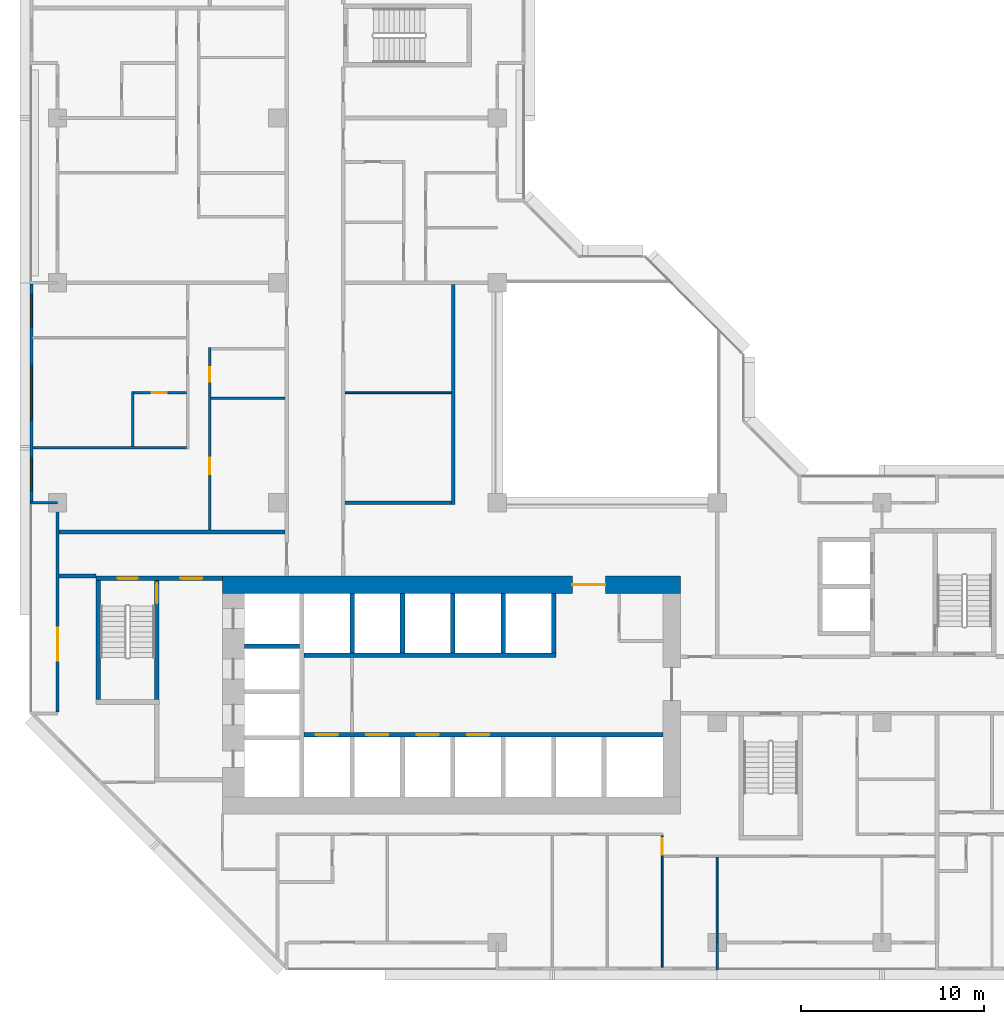
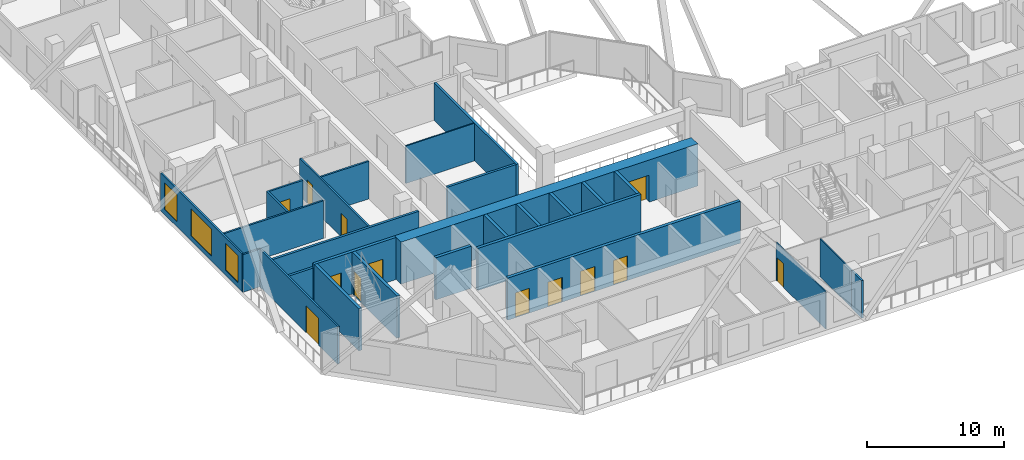
# One storey, part 5 of 15: 28 walls, 13 doors, 3 windows, 16 openings.
"""IFC4 building model written with IfcOpenShell, lengths in metres."""

import ifcopenshell
import ifcopenshell.guid

model = None  # the IFC model being written
_history = None  # IfcOwnerHistory: only IFC2X3 demands one
_inside = {}  # id of a spatial element -> (the spatial element, [elements in it])
_under = {}  # id of a project, library or spatial element -> (it, [spatial elements below it])
_declared = {}  # id of a project -> (the project, [libraries it declares])
_typed = {}  # id of a type object -> (the type object, [elements of that type])
_made_of = {}  # id of a material, layer set ... -> (it, [elements and type objects made of it])


def new_model(schema):
    """Start an empty IFC model of exactly this schema.

    Asked for "IFC4X3", IfcOpenShell would pick the latest addendum, in which some entities
    have other attributes; the version numbers below select the first issue.
    IFC2X3 requires an IfcOwnerHistory on every rooted entity: one is made here for all.
    """
    global model, _history
    if schema == "IFC4X3":
        model = ifcopenshell.file(schema_version=(4, 3, 0, 0))
    else:
        model = ifcopenshell.file(schema=schema)
    _inside.clear()
    _under.clear()
    _declared.clear()
    _typed.clear()
    _made_of.clear()
    _history = None
    if model.schema == "IFC2X3":
        org = make("IfcOrganization", Name="unknown")
        user = make(
            "IfcPersonAndOrganization",
            ThePerson=make("IfcPerson", FamilyName="unknown"),
            TheOrganization=org,
        )
        app = make(
            "IfcApplication",
            ApplicationDeveloper=org,
            Version="unknown",
            ApplicationFullName="unknown",
            ApplicationIdentifier="unknown",
        )
        _history = make(
            "IfcOwnerHistory",
            OwningUser=user,
            OwningApplication=app,
            ChangeAction="ADDED",
            CreationDate=0,
        )
    return model


def make(cls, **values):
    """One entity of the class cls with the attributes given. An attribute that is None is left unset."""
    return model.create_entity(
        cls, **{name: value for name, value in values.items() if value is not None}
    )


def rooted(cls, **values):
    """An entity with a GlobalId (a new one), such as an element, a storey or a relation."""
    return make(cls, GlobalId=ifcopenshell.guid.new(), OwnerHistory=_history, **values)


def si_unit(unit_type, name, prefix=None):
    """IfcSIUnit, for example si_unit("LENGTHUNIT", "METRE", prefix="MILLI")."""
    return make("IfcSIUnit", UnitType=unit_type, Prefix=prefix, Name=name)


def assignment(units):
    """IfcUnitAssignment: the units of a project."""
    return None if units is None else make("IfcUnitAssignment", Units=units)


def point(xyz):
    """IfcCartesianPoint."""
    return None if xyz is None else make("IfcCartesianPoint", Coordinates=xyz)


def direction(xyz):
    """IfcDirection."""
    return None if xyz is None else make("IfcDirection", DirectionRatios=xyz)


def frame(location, z_axis=None, x_axis=None):
    """IfcAxis2Placement3D, a coordinate frame: its origin and axes. An axis left out is left unset."""
    return make(
        "IfcAxis2Placement3D",
        Location=point(location),
        Axis=direction(z_axis),
        RefDirection=direction(x_axis),
    )


def frame_2d(location, x_axis=None):
    """IfcAxis2Placement2D, a coordinate frame in the plane: its origin and x axis."""
    return make(
        "IfcAxis2Placement2D", Location=point(location), RefDirection=direction(x_axis)
    )


def origin():
    """The frame at (0, 0, 0) with its axes left unset."""
    return frame((0.0, 0.0, 0.0))


def place(relative_to, where):
    """IfcLocalPlacement: puts the frame where relative to a parent placement (None: the world)."""
    return make(
        "IfcLocalPlacement", PlacementRelTo=relative_to, RelativePlacement=where
    )


def context(
    kind, dimensions, precision=None, world=None, true_north=None, identifier=None
):
    """IfcGeometricRepresentationContext, for example the 3D "Model" context."""
    return make(
        "IfcGeometricRepresentationContext",
        ContextIdentifier=identifier,
        ContextType=kind,
        CoordinateSpaceDimension=dimensions,
        Precision=precision,
        WorldCoordinateSystem=world,
        TrueNorth=true_north,
    )


def subcontext(parent, identifier, kind, view, scale=None):
    """IfcGeometricRepresentationSubContext, for example "Body" below "Model"."""
    return make(
        "IfcGeometricRepresentationSubContext",
        ContextIdentifier=identifier,
        ContextType=kind,
        ParentContext=parent,
        TargetScale=scale,
        TargetView=view,
    )


def project(units=None, contexts=None):
    """IfcProject with its units and contexts."""
    return rooted(
        "IfcProject",
        Name="project",
        RepresentationContexts=contexts,
        UnitsInContext=assignment(units),
    )


def spatial(cls, under=None, at=None, **own):
    """A site, building, storey or space (cls), placed at a placement, below another one or the project."""
    s = rooted(cls, ObjectPlacement=at, **own)
    if under is not None:
        _under.setdefault(under.id(), (under, []))[1].append(s)
    return s


def profile(cls, at=None, kind="AREA", **sizes):
    """A parametric profile (cls). Its sizes go by their IFC names, for example OverallWidth=200.0."""
    return make(cls, ProfileType=kind, Position=at, **sizes)


def rectangle(**sizes):
    """IfcRectangleProfileDef."""
    return profile("IfcRectangleProfileDef", **sizes)


def extrude(swept, where, along, depth):
    """IfcExtrudedAreaSolid: the profile swept, set in the frame where, extruded along a direction by depth."""
    return make(
        "IfcExtrudedAreaSolid",
        SweptArea=swept,
        Position=where,
        ExtrudedDirection=direction(along),
        Depth=depth,
    )


def shape(context_of_items, identifier, shape_type, items):
    """IfcShapeRepresentation: the items that make up one representation, for example the "Body"."""
    return make(
        "IfcShapeRepresentation",
        ContextOfItems=context_of_items,
        RepresentationIdentifier=identifier,
        RepresentationType=shape_type,
        Items=items,
    )


def material(Name=None, Category=None):
    """IfcMaterial."""
    return make("IfcMaterial", Name=Name, Category=Category)


def layer(
    of_material, thickness, ventilated=None, Name=None, Category=None, Priority=None
):
    """IfcMaterialLayer: one layer of a wall or slab, of a material (None: an air gap)."""
    return make(
        "IfcMaterialLayer",
        Material=of_material,
        LayerThickness=thickness,
        IsVentilated=ventilated,
        Name=Name,
        Category=Category,
        Priority=Priority,
    )


def layer_set(layers, Name=None):
    """IfcMaterialLayerSet."""
    return make("IfcMaterialLayerSet", MaterialLayers=layers, LayerSetName=Name)


def made_of(thing, what):
    """Note that an element or type object is made of a material, layer set ...; save() writes the relation."""
    if what is not None:
        _made_of.setdefault(what.id(), (what, []))[1].append(thing)
    return thing


def type_object(cls, material=None, **own):
    """A type object (cls), such as IfcWallType, which elements share."""
    return made_of(rooted(cls, **own), material)


def element(
    cls,
    number,
    at=None,
    inside=None,
    cuts=None,
    type_object=None,
    material=None,
    context=None,
    identifier="Body",
    shape_type=None,
    held_by="IfcProductDefinitionShape",
    body=None,
    shapes=None,
    **own,
):
    """One element of the class cls, such as IfcWall. Its Tag is "e" and its number.

    at: its placement. inside: the storey or other place that contains it. cuts: it is an
    opening in that element (IfcRelVoidsElement). A single representation is given by context,
    identifier, shape_type and body (its items); several are given by shapes. held_by: the class
    of the entity that holds the representations. save() writes the other relations.
    """
    e = rooted(cls, Tag="e%d" % number, ObjectPlacement=at, **own)
    if body is not None:
        shapes = [shape(context, identifier, shape_type, body)]
    if shapes is not None:
        e.Representation = make(held_by, Representations=shapes)
    if inside is not None:
        _inside.setdefault(inside.id(), (inside, []))[1].append(e)
    if cuts is not None:
        rooted(
            "IfcRelVoidsElement", RelatingBuildingElement=cuts, RelatedOpeningElement=e
        )
    if type_object is not None:
        _typed.setdefault(type_object.id(), (type_object, []))[1].append(e)
    return made_of(e, material)


def fill(opening, filler):
    """IfcRelFillsElement: the door or window that sits in an opening."""
    return rooted(
        "IfcRelFillsElement",
        RelatingOpeningElement=opening,
        RelatedBuildingElement=filler,
    )


def aggregate(whole, parts):
    """IfcRelAggregates: a whole, such as a stair, and the parts it consists of."""
    return rooted("IfcRelAggregates", RelatingObject=whole, RelatedObjects=parts)


def save(model, path):
    """Write the relations noted so far, then the file.

    IfcRelAggregates (storeys below a building ...), IfcRelContainedInSpatialStructure (elements
    in a storey), IfcRelDefinesByType, IfcRelAssociatesMaterial and IfcRelDeclares: one each for
    every whole, place, type object, material and project.
    """
    for whole, parts in _under.values():
        aggregate(whole, parts)
    for where, things in _inside.values():
        rooted(
            "IfcRelContainedInSpatialStructure",
            RelatedElements=things,
            RelatingStructure=where,
        )
    for kind, things in _typed.values():
        rooted("IfcRelDefinesByType", RelatedObjects=things, RelatingType=kind)
    for what, things in _made_of.values():
        rooted("IfcRelAssociatesMaterial", RelatedObjects=things, RelatingMaterial=what)
    for by, libraries in _declared.values():
        rooted("IfcRelDeclares", RelatingContext=by, RelatedDefinitions=libraries)
    model.write(path)


model = new_model("IFC4")

# Units and contexts
model_context = context("Model", 3, precision=1e-05, world=origin(), true_north=direction((0.0, 1.0)))
body_context = subcontext(model_context, "Body", "Model", "MODEL_VIEW")
ifc_project = project(units=[si_unit("LENGTHUNIT", "METRE"), si_unit("AREAUNIT", "SQUARE_METRE"), si_unit("VOLUMEUNIT", "CUBIC_METRE"), si_unit("PLANEANGLEUNIT", "RADIAN"), si_unit("MASSUNIT", "GRAM", prefix="KILO")], contexts=[model_context])

# Site, building, storey
site_placement = place(None, origin())
site = spatial("IfcSite", under=ifc_project, at=site_placement, CompositionType="ELEMENT")
building_placement = place(site_placement, origin())
building = spatial("IfcBuilding", under=site, at=building_placement, Name="Chenar Terraces", CompositionType="ELEMENT")
storey_placement = place(building_placement, frame((0.0, 0.0, 129.39990234375)))
storey = spatial("IfcBuildingStorey", under=building, at=storey_placement, Name="L30", CompositionType="ELEMENT", Elevation=129.39990234375)

# Wall, openings, doors
ifc_material_1 = material(Name="Concrete C70/85", Category="concrete")
ifc_layer_1 = layer(ifc_material_1, 0.25)
ifc_layer_set_1 = layer_set([ifc_layer_1], Name="Concrete C70/85")
wall_type_1 = type_object("IfcWallType", Name="Core wall 250 Concrete C70/85", PredefinedType="SHEAR", material=ifc_layer_set_1)
wall_1_placement = place(storey_placement, frame((13.449951171875, 11.324951171875, 0.0), z_axis=(0.0, 0.0, 1.0), x_axis=(1.0, 0.0, 0.0)))
wall_1 = element("IfcWall", 1, at=wall_1_placement, inside=storey, type_object=wall_type_1, Name="Core wall SF L30", PredefinedType="SHEAR", context=body_context, shape_type="SweptSolid", body=[
    extrude(rectangle(XDim=19.60009765625, YDim=0.25, at=frame_2d((9.800048828125, 0.0))), origin(), (0.0, 0.0, 1.0), 3.75),
])
opening_1_placement = place(wall_1_placement, frame((0.64990234375, 0.0, 0.0)))
opening_1 = element("IfcOpeningElement", 2, at=opening_1_placement, cuts=wall_1, Name="Opening DL30-LD1", PredefinedType="OPENING", context=body_context, shape_type="SweptSolid", body=[
    extrude(rectangle(XDim=1.199951171875, YDim=2.199951171875, at=frame_2d((0.60009765625, 1.10009765625))), frame((0.0, 0.135009765625, 0.0), z_axis=(0.0, -1.0, 0.0), x_axis=(1.0, 0.0, 0.0)), (0.0, 0.0, 1.0), 0.27001953125),
])
opening_2_placement = place(wall_1_placement, frame((3.39990234375, 0.0, 0.0)))
opening_2 = element("IfcOpeningElement", 3, at=opening_2_placement, cuts=wall_1, Name="Opening DL30-LD2", PredefinedType="OPENING", context=body_context, shape_type="SweptSolid", body=[
    extrude(rectangle(XDim=1.199951171875, YDim=2.199951171875, at=frame_2d((0.60009765625, 1.10009765625))), frame((0.0, 0.135009765625, 0.0), z_axis=(0.0, -1.0, 0.0), x_axis=(1.0, 0.0, 0.0)), (0.0, 0.0, 1.0), 0.27001953125),
])
opening_3_placement = place(wall_1_placement, frame((6.14990234375, 0.0, 0.0)))
opening_3 = element("IfcOpeningElement", 4, at=opening_3_placement, cuts=wall_1, Name="Opening DL30-LD3", PredefinedType="OPENING", context=body_context, shape_type="SweptSolid", body=[
    extrude(rectangle(XDim=1.199951171875, YDim=2.199951171875, at=frame_2d((0.60009765625, 1.10009765625))), frame((0.0, 0.135009765625, 0.0), z_axis=(0.0, -1.0, 0.0), x_axis=(1.0, 0.0, 0.0)), (0.0, 0.0, 1.0), 0.27001953125),
])
opening_4_placement = place(wall_1_placement, frame((8.89990234375, 0.0, 0.0)))
opening_4 = element("IfcOpeningElement", 5, at=opening_4_placement, cuts=wall_1, Name="Opening DL30-LD4", PredefinedType="OPENING", context=body_context, shape_type="SweptSolid", body=[
    extrude(rectangle(XDim=1.199951171875, YDim=2.199951171875, at=frame_2d((0.60009765625, 1.10009765625))), frame((0.0, 0.135009765625, 0.0), z_axis=(0.0, -1.0, 0.0), x_axis=(1.0, 0.0, 0.0)), (0.0, 0.0, 1.0), 0.27001953125),
])
ifc_material_2 = material(Name="Stainless steel", Category="steel")
door_type_1 = type_object("IfcDoorType", Name="Lift landing door 1200 x 2200 sliding", OperationType="DOUBLE_DOOR_SLIDING", PredefinedType="DOOR", material=ifc_material_2)
door_1_placement = place(opening_1_placement, origin())
door_1 = element("IfcDoor", 6, at=door_1_placement, inside=storey, type_object=door_type_1, Name="Landing door L1", OperationType="DOUBLE_DOOR_SLIDING", OverallHeight=2.199951171875, OverallWidth=1.199951171875, PredefinedType="DOOR", context=body_context, shape_type="SweptSolid", body=[
    extrude(rectangle(XDim=1.199951171875, YDim=2.199951171875, at=frame_2d((0.60009765625, 1.10009765625))), frame((0.0, 0.02490234375, 0.0), z_axis=(0.0, -1.0, 0.0), x_axis=(1.0, 0.0, 0.0)), (0.0, 0.0, 1.0), 0.050048828125),
])
fill(opening_1, door_1)
door_2_placement = place(opening_2_placement, origin())
door_2 = element("IfcDoor", 7, at=door_2_placement, inside=storey, type_object=door_type_1, Name="Landing door L2", OperationType="DOUBLE_DOOR_SLIDING", OverallHeight=2.199951171875, OverallWidth=1.199951171875, PredefinedType="DOOR", context=body_context, shape_type="SweptSolid", body=[
    extrude(rectangle(XDim=1.199951171875, YDim=2.199951171875, at=frame_2d((0.60009765625, 1.10009765625))), frame((0.0, 0.02490234375, 0.0), z_axis=(0.0, -1.0, 0.0), x_axis=(1.0, 0.0, 0.0)), (0.0, 0.0, 1.0), 0.050048828125),
])
fill(opening_2, door_2)
door_3_placement = place(opening_3_placement, origin())
door_3 = element("IfcDoor", 8, at=door_3_placement, inside=storey, type_object=door_type_1, Name="Landing door L3", OperationType="DOUBLE_DOOR_SLIDING", OverallHeight=2.199951171875, OverallWidth=1.199951171875, PredefinedType="DOOR", context=body_context, shape_type="SweptSolid", body=[
    extrude(rectangle(XDim=1.199951171875, YDim=2.199951171875, at=frame_2d((0.60009765625, 1.10009765625))), frame((0.0, 0.02490234375, 0.0), z_axis=(0.0, -1.0, 0.0), x_axis=(1.0, 0.0, 0.0)), (0.0, 0.0, 1.0), 0.050048828125),
])
fill(opening_3, door_3)
door_4_placement = place(opening_4_placement, origin())
door_4 = element("IfcDoor", 9, at=door_4_placement, inside=storey, type_object=door_type_1, Name="Landing door L4", OperationType="DOUBLE_DOOR_SLIDING", OverallHeight=2.199951171875, OverallWidth=1.199951171875, PredefinedType="DOOR", context=body_context, shape_type="SweptSolid", body=[
    extrude(rectangle(XDim=1.199951171875, YDim=2.199951171875, at=frame_2d((0.60009765625, 1.10009765625))), frame((0.0, 0.02490234375, 0.0), z_axis=(0.0, -1.0, 0.0), x_axis=(1.0, 0.0, 0.0)), (0.0, 0.0, 1.0), 0.050048828125),
])
fill(opening_4, door_4)

# Walls
wall_2_placement = place(storey_placement, frame((13.449951171875, 15.675048828125, 0.0), z_axis=(0.0, 0.0, 1.0), x_axis=(1.0, 0.0, 0.0)))
element("IfcWall", 10, at=wall_2_placement, inside=storey, type_object=wall_type_1, Name="Core wall NF L30", PredefinedType="SHEAR", context=body_context, shape_type="SweptSolid", body=[
    extrude(rectangle(XDim=13.75, YDim=0.25, at=frame_2d((6.875, 0.0))), origin(), (0.0, 0.0, 1.0), 3.75),
])
wall_3_placement = place(storey_placement, frame((10.199951171875, 16.175048828125, 0.0), z_axis=(0.0, 0.0, 1.0), x_axis=(1.0, 0.0, 0.0)))
element("IfcWall", 11, at=wall_3_placement, inside=storey, type_object=wall_type_1, Name="Core wall HW2 L30", PredefinedType="SHEAR", context=body_context, shape_type="SweptSolid", body=[
    extrude(rectangle(XDim=3.0, YDim=0.25, at=frame_2d((1.5, 0.0))), origin(), (0.0, 0.0, 1.0), 3.75),
])
for number, where, z_axis, x_axis, name in (
    (12, (16.074951171875, 15.800048828125, 0.0), (0.0, 0.0, 1.0), (0.0, 1.0, 0.0), "Core wall NS0 L30"),
    (13, (18.824951171875, 15.800048828125, 0.0), (0.0, 0.0, 1.0), (0.0, 1.0, 0.0), "Core wall NS1 L30"),
    (14, (21.574951171875, 15.800048828125, 0.0), (0.0, 0.0, 1.0), (0.0, 1.0, 0.0), "Core wall NS2 L30"),
    (15, (24.324951171875, 15.800048828125, 0.0), (0.0, 0.0, 1.0), (0.0, 1.0, 0.0), "Core wall NS3 L30"),
    (16, (27.074951171875, 15.800048828125, 0.0), (0.0, 0.0, 1.0), (0.0, 1.0, 0.0), "Core wall NE L30"),
):
    element("IfcWall", number, at=place(storey_placement, frame(where, z_axis=z_axis, x_axis=x_axis)), inside=storey, type_object=wall_type_1, Name=name, PredefinedType="SHEAR", context=body_context, shape_type="SweptSolid", body=[
        extrude(rectangle(XDim=3.25, YDim=0.25, at=frame_2d((1.625, 0.0))), origin(), (0.0, 0.0, 1.0), 3.75),
    ])

# Wall, openings, doors
wall_4_placement = place(storey_placement, frame((2.10009765625, 19.875, 0.0), z_axis=(0.0, 0.0, 1.0), x_axis=(1.0, 0.0, 0.0)))
wall_4 = element("IfcWall", 17, at=wall_4_placement, inside=storey, type_object=wall_type_1, Name="Core wall A_N L30", PredefinedType="SHEAR", context=body_context, shape_type="SweptSolid", body=[
    extrude(rectangle(XDim=6.89990234375, YDim=0.25, at=frame_2d((3.449951171875, 0.0))), origin(), (0.0, 0.0, 1.0), 3.75),
])
opening_5_placement = place(wall_4_placement, frame((1.175048828125, 0.0, 0.0)))
opening_5 = element("IfcOpeningElement", 18, at=opening_5_placement, cuts=wall_4, Name="Opening DL30-C5", PredefinedType="OPENING", context=body_context, shape_type="SweptSolid", body=[
    extrude(rectangle(XDim=1.10009765625, YDim=2.199951171875, at=frame_2d((0.550048828125, 1.10009765625))), frame((0.0, 0.135009765625, 0.0), z_axis=(0.0, -1.0, 0.0), x_axis=(1.0, 0.0, 0.0)), (0.0, 0.0, 1.0), 0.27001953125),
])
opening_6_placement = place(wall_4_placement, frame((4.60009765625, 0.0, 0.0)))
opening_6 = element("IfcOpeningElement", 19, at=opening_6_placement, cuts=wall_4, Name="Opening DL30-C6", PredefinedType="OPENING", context=body_context, shape_type="SweptSolid", body=[
    extrude(rectangle(XDim=1.199951171875, YDim=2.199951171875, at=frame_2d((0.60009765625, 1.10009765625))), frame((0.0, 0.135009765625, 0.0), z_axis=(0.0, -1.0, 0.0), x_axis=(1.0, 0.0, 0.0)), (0.0, 0.0, 1.0), 0.27001953125),
])
ifc_material_3 = material(Name="Steel-framed fire-resisting door leaf", Category="steel")
door_type_2 = type_object("IfcDoorType", Name="Lobby fire door FD60 1200 x 2200", OperationType="SINGLE_SWING_LEFT", PredefinedType="DOOR", material=ifc_material_3)
door_5_placement = place(opening_6_placement, frame((1.199951171875, 0.0, 0.0), z_axis=(0.0, 0.0, 1.0), x_axis=(-1.0, 0.0, 0.0)))
door_5 = element("IfcDoor", 20, at=door_5_placement, inside=storey, type_object=door_type_2, Name="Core door DL30-C6", OperationType="SINGLE_SWING_LEFT", OverallHeight=2.199951171875, OverallWidth=1.199951171875, PredefinedType="DOOR", context=body_context, shape_type="SweptSolid", body=[
    extrude(rectangle(XDim=1.199951171875, YDim=2.199951171875, at=frame_2d((0.60009765625, 1.10009765625))), frame((0.0, 0.02490234375, 0.0), z_axis=(0.0, -1.0, 0.0), x_axis=(1.0, 0.0, 0.0)), (0.0, 0.0, 1.0), 0.050048828125),
])
fill(opening_6, door_5)
ifc_material_4 = material(Name="Steel-framed fire-resisting door leaf", Category="steel")
door_type_3 = type_object("IfcDoorType", Name="Stair fire door FD60 1100 x 2200", OperationType="SINGLE_SWING_LEFT", PredefinedType="DOOR", material=ifc_material_4)
door_6_placement = place(opening_5_placement, origin())
door_6 = element("IfcDoor", 21, at=door_6_placement, inside=storey, type_object=door_type_3, Name="Stair door DL30-C5", OperationType="SINGLE_SWING_LEFT", OverallHeight=2.199951171875, OverallWidth=1.10009765625, PredefinedType="DOOR", context=body_context, shape_type="SweptSolid", body=[
    extrude(rectangle(XDim=1.10009765625, YDim=2.199951171875, at=frame_2d((0.550048828125, 1.10009765625))), frame((0.0, 0.02490234375, 0.0), z_axis=(0.0, -1.0, 0.0), x_axis=(1.0, 0.0, 0.0)), (0.0, 0.0, 1.0), 0.050048828125),
])
fill(opening_5, door_6)

# Wall
wall_5_placement = place(storey_placement, frame((2.22509765625, 13.25, 0.0), z_axis=(0.0, 0.0, 1.0), x_axis=(0.0, 1.0, 0.0)))
element("IfcWall", 22, at=wall_5_placement, inside=storey, type_object=wall_type_1, Name="Core wall ST1_W L30", PredefinedType="SHEAR", context=body_context, shape_type="SweptSolid", body=[
    extrude(rectangle(XDim=6.5, YDim=0.25, at=frame_2d((3.25, 0.0))), origin(), (0.0, 0.0, 1.0), 3.75),
])

# Wall, opening, door
wall_6_placement = place(storey_placement, frame((5.425048828125, 13.25, 0.0), z_axis=(0.0, 0.0, 1.0), x_axis=(0.0, 1.0, 0.0)))
wall_6 = element("IfcWall", 23, at=wall_6_placement, inside=storey, type_object=wall_type_1, Name="Core wall ST1_E L30", PredefinedType="SHEAR", context=body_context, shape_type="SweptSolid", body=[
    extrude(rectangle(XDim=6.5, YDim=0.25, at=frame_2d((3.25, 0.0))), origin(), (0.0, 0.0, 1.0), 3.75),
])
opening_7_placement = place(wall_6_placement, frame((5.25, 0.0, 0.0)))
opening_7 = element("IfcOpeningElement", 24, at=opening_7_placement, cuts=wall_6, Name="Opening DL30-C3", PredefinedType="OPENING", context=body_context, shape_type="SweptSolid", body=[
    extrude(rectangle(XDim=1.10009765625, YDim=2.199951171875, at=frame_2d((0.550048828125, 1.10009765625))), frame((0.0, 0.135009765625, 0.0), z_axis=(0.0, -1.0, 0.0), x_axis=(1.0, 0.0, 0.0)), (0.0, 0.0, 1.0), 0.27001953125),
])
door_7_placement = place(opening_7_placement, origin())
door_7 = element("IfcDoor", 25, at=door_7_placement, inside=storey, type_object=door_type_3, Name="Stair door DL30-C3", OperationType="SINGLE_SWING_RIGHT", OverallHeight=2.199951171875, OverallWidth=1.10009765625, PredefinedType="DOOR", context=body_context, shape_type="SweptSolid", body=[
    extrude(rectangle(XDim=1.10009765625, YDim=2.199951171875, at=frame_2d((0.550048828125, 1.10009765625))), frame((0.0, 0.02490234375, 0.0), z_axis=(0.0, -1.0, 0.0), x_axis=(1.0, 0.0, 0.0)), (0.0, 0.0, 1.0), 0.050048828125),
])
fill(opening_7, door_7)

ifc_material_5 = material(Name="Concrete C70/85", Category="concrete")
ifc_layer_2 = layer(ifc_material_5, 0.949951171875)
ifc_layer_set_2 = layer_set([ifc_layer_2], Name="Concrete C70/85")
wall_type_2 = type_object("IfcWallType", Name="Core wall 950 Concrete C70/85", PredefinedType="SHEAR", material=ifc_layer_set_2)
wall_7_placement = place(storey_placement, frame((9.0, 19.52490234375, 0.0), z_axis=(0.0, 0.0, 1.0), x_axis=(1.0, 0.0, 0.0)))
wall_7 = element("IfcWall", 26, at=wall_7_placement, inside=storey, type_object=wall_type_2, Name="Core wall N L30", PredefinedType="SHEAR", context=body_context, shape_type="SweptSolid", body=[
    extrude(rectangle(XDim=25.0, YDim=0.949951171875, at=frame_2d((12.5, 0.0))), origin(), (0.0, 0.0, 1.0), 3.75),
])
opening_8_placement = place(wall_7_placement, frame((19.10009765625, 0.0, 0.0)))
opening_8 = element("IfcOpeningElement", 27, at=opening_8_placement, cuts=wall_7, Name="Opening DL30-C2", PredefinedType="OPENING", context=body_context, shape_type="SweptSolid", body=[
    extrude(rectangle(XDim=1.800048828125, YDim=2.39990234375, at=frame_2d((0.89990234375, 1.199951171875))), frame((0.0, 0.48486328125, 0.0), z_axis=(0.0, -1.0, 0.0), x_axis=(1.0, 0.0, 0.0)), (0.0, 0.0, 1.0), 0.969970703125),
])
ifc_material_6 = material(Name="Steel-framed fire-resisting door leaf", Category="steel")
door_type_4 = type_object("IfcDoorType", Name="Core entrance double fire door FD60 1800 x 2400", OperationType="DOUBLE_DOOR_SINGLE_SWING", PredefinedType="DOOR", material=ifc_material_6)
door_8_placement = place(opening_8_placement, frame((1.800048828125, 0.0, 0.0), z_axis=(0.0, 0.0, 1.0), x_axis=(-1.0, 0.0, 0.0)))
door_8 = element("IfcDoor", 28, at=door_8_placement, inside=storey, type_object=door_type_4, Name="Core door DL30-C2", OperationType="DOUBLE_DOOR_SINGLE_SWING", OverallHeight=2.39990234375, OverallWidth=1.800048828125, PredefinedType="DOOR", context=body_context, shape_type="SweptSolid", body=[
    extrude(rectangle(XDim=1.800048828125, YDim=2.39990234375, at=frame_2d((0.89990234375, 1.199951171875))), frame((0.0, 0.02490234375, 0.0), z_axis=(0.0, -1.0, 0.0), x_axis=(1.0, 0.0, 0.0)), (0.0, 0.0, 1.0), 0.050048828125),
])
fill(opening_8, door_8)

# Walls
ifc_material_7 = material(Name="Gypsum board on steel studs with fire boards", Category="steel")
ifc_layer_3 = layer(ifc_material_7, 0.199951171875)
ifc_layer_set_3 = layer_set([ifc_layer_3], Name="Gypsum board on steel studs with fire boards")
wall_type_3 = type_object("IfcWallType", Name="Corridor wall 200", PredefinedType="PARTITIONING", material=ifc_layer_set_3)
wall_8_placement = place(storey_placement, frame((0.073974609375, 20.0, 0.0), z_axis=(0.0, 0.0, 1.0), x_axis=(1.0, 0.0, 0.0)))
element("IfcWall", 29, at=wall_8_placement, inside=storey, type_object=wall_type_3, Name="Partition L30-006", PredefinedType="PARTITIONING", context=body_context, shape_type="SweptSolid", body=[
    extrude(rectangle(XDim=2.026123046875, YDim=0.199951171875, at=frame_2d((1.01318359375, 0.0))), origin(), (0.0, 0.0, 1.0), 3.35009765625),
])
wall_9_placement = place(storey_placement, frame((0.073974609375, 22.39990234375, 0.0), z_axis=(0.0, 0.0, 1.0), x_axis=(1.0, 0.0, 0.0)))
element("IfcWall", 30, at=wall_9_placement, inside=storey, type_object=wall_type_3, Name="Partition L30-007", PredefinedType="PARTITIONING", context=body_context, shape_type="SweptSolid", body=[
    extrude(rectangle(XDim=12.325927734375, YDim=0.199951171875, at=frame_2d((6.1630859375, 0.0))), origin(), (0.0, 0.0, 1.0), 3.35009765625),
])
wall_10_placement = place(storey_placement, frame((15.699951171875, 24.0, 0.0), z_axis=(0.0, 0.0, 1.0), x_axis=(1.0, 0.0, 0.0)))
element("IfcWall", 31, at=wall_10_placement, inside=storey, type_object=wall_type_3, Name="Partition L30-039", PredefinedType="PARTITIONING", context=body_context, shape_type="SweptSolid", body=[
    extrude(rectangle(XDim=5.800048828125, YDim=0.199951171875, at=frame_2d((2.89990234375, 0.0))), origin(), (0.0, 0.0, 1.0), 3.35009765625),
])
wall_11_placement = place(storey_placement, frame((21.60009765625, 23.89990234375, 0.0), z_axis=(0.0, 0.0, 1.0), x_axis=(0.0, 1.0, 0.0)))
element("IfcWall", 32, at=wall_11_placement, inside=storey, type_object=wall_type_3, Name="Partition L30-057", PredefinedType="PARTITIONING", context=body_context, shape_type="SweptSolid", body=[
    extrude(rectangle(XDim=12.0, YDim=0.199951171875, at=frame_2d((6.0, 0.0))), origin(), (0.0, 0.0, 1.0), 3.35009765625),
])

# Wall, openings, windows
ifc_material_8 = material(Name="Aluminium framed glazing", Category="aluminium")
ifc_layer_4 = layer(ifc_material_8, 0.14990234375)
ifc_layer_set_4 = layer_set([ifc_layer_4], Name="Aluminium framed glazing")
wall_type_4 = type_object("IfcWallType", Name="Glazed flush facade wall 150", PredefinedType="SOLIDWALL", material=ifc_layer_set_4)
wall_12_placement = place(storey_placement, frame((-1.425048828125, 35.925048828125, 0.0), z_axis=(0.0, 0.0, 1.0), x_axis=(0.0, -1.0, 0.0)))
wall_12 = element("IfcWall", 33, at=wall_12_placement, inside=storey, type_object=wall_type_4, Name="Glazed flush facade wall", PredefinedType="SOLIDWALL", context=body_context, shape_type="SweptSolid", body=[
    extrude(rectangle(XDim=11.85009765625, YDim=0.14990234375, at=frame_2d((5.925048828125, 0.0))), origin(), (0.0, 0.0, 1.0), 3.35009765625),
])
opening_9_placement = place(wall_12_placement, frame((0.5625, 0.0, 0.449951171875)))
opening_9 = element("IfcOpeningElement", 34, at=opening_9_placement, cuts=wall_12, Name="Opening W180x240", PredefinedType="OPENING", context=body_context, shape_type="SweptSolid", body=[
    extrude(rectangle(XDim=1.800048828125, YDim=2.39990234375, at=frame_2d((0.89990234375, 1.199951171875))), frame((0.0, 0.0849609375, 0.0), z_axis=(0.0, -1.0, 0.0), x_axis=(1.0, 0.0, 0.0)), (0.0, 0.0, 1.0), 0.169921875),
])
opening_10_placement = place(wall_12_placement, frame((4.425048828125, 0.0, 0.449951171875)))
opening_10 = element("IfcOpeningElement", 35, at=opening_10_placement, cuts=wall_12, Name="Opening W300x240", PredefinedType="OPENING", context=body_context, shape_type="SweptSolid", body=[
    extrude(rectangle(XDim=3.0, YDim=2.39990234375, at=frame_2d((1.5, 1.199951171875))), frame((0.0, 0.0849609375, 0.0), z_axis=(0.0, -1.0, 0.0), x_axis=(1.0, 0.0, 0.0)), (0.0, 0.0, 1.0), 0.169921875),
])
opening_11_placement = place(wall_12_placement, frame((9.487548828125, 0.0, 0.449951171875)))
opening_11 = element("IfcOpeningElement", 36, at=opening_11_placement, cuts=wall_12, Name="Opening W180x240", PredefinedType="OPENING", context=body_context, shape_type="SweptSolid", body=[
    extrude(rectangle(XDim=1.800048828125, YDim=2.39990234375, at=frame_2d((0.89990234375, 1.199951171875))), frame((0.0, 0.0849609375, 0.0), z_axis=(0.0, -1.0, 0.0), x_axis=(1.0, 0.0, 0.0)), (0.0, 0.0, 1.0), 0.169921875),
])
ifc_material_9 = material(Name="Low emissivity double glazing, aluminium frame", Category="aluminium")
window_type_1 = type_object("IfcWindowType", Name="Fixed light 1800 x 2400", PartitioningType="SINGLE_PANEL", PredefinedType="WINDOW", material=ifc_material_9)
window_1_placement = place(opening_9_placement, origin())
window_1 = element("IfcWindow", 37, at=window_1_placement, inside=storey, type_object=window_type_1, Name="Window", OverallHeight=2.39990234375, OverallWidth=1.800048828125, PartitioningType="SINGLE_PANEL", PredefinedType="WINDOW", context=body_context, shape_type="SweptSolid", body=[
    extrude(rectangle(XDim=1.800048828125, YDim=2.39990234375, at=frame_2d((0.89990234375, 1.199951171875))), frame((0.0, 0.030029296875, 0.0), z_axis=(0.0, -1.0, 0.0), x_axis=(1.0, 0.0, 0.0)), (0.0, 0.0, 1.0), 0.06005859375),
])
fill(opening_9, window_1)
window_2_placement = place(opening_11_placement, origin())
window_2 = element("IfcWindow", 38, at=window_2_placement, inside=storey, type_object=window_type_1, Name="Window", OverallHeight=2.39990234375, OverallWidth=1.800048828125, PartitioningType="SINGLE_PANEL", PredefinedType="WINDOW", context=body_context, shape_type="SweptSolid", body=[
    extrude(rectangle(XDim=1.800048828125, YDim=2.39990234375, at=frame_2d((0.89990234375, 1.199951171875))), frame((0.0, 0.030029296875, 0.0), z_axis=(0.0, -1.0, 0.0), x_axis=(1.0, 0.0, 0.0)), (0.0, 0.0, 1.0), 0.06005859375),
])
fill(opening_11, window_2)
ifc_material_10 = material(Name="Low emissivity double glazing, aluminium frame", Category="aluminium")
window_type_2 = type_object("IfcWindowType", Name="Fixed light 3000 x 2400", PartitioningType="SINGLE_PANEL", PredefinedType="WINDOW", material=ifc_material_10)
window_3_placement = place(opening_10_placement, origin())
window_3 = element("IfcWindow", 39, at=window_3_placement, inside=storey, type_object=window_type_2, Name="Window", OverallHeight=2.39990234375, OverallWidth=3.0, PartitioningType="SINGLE_PANEL", PredefinedType="WINDOW", context=body_context, shape_type="SweptSolid", body=[
    extrude(rectangle(XDim=3.0, YDim=2.39990234375, at=frame_2d((1.5, 1.199951171875))), frame((0.0, 0.030029296875, 0.0), z_axis=(0.0, -1.0, 0.0), x_axis=(1.0, 0.0, 0.0)), (0.0, 0.0, 1.0), 0.06005859375),
])
fill(opening_10, window_3)

# Wall, opening, door
ifc_material_11 = material(Name="Aluminium framed glazing", Category="aluminium")
ifc_layer_5 = layer(ifc_material_11, 0.14990234375)
ifc_layer_set_5 = layer_set([ifc_layer_5], Name="Aluminium framed glazing")
wall_type_5 = type_object("IfcWallType", Name="Glazed loggia back wall 150", PredefinedType="SOLIDWALL", material=ifc_layer_set_5)
wall_13_placement = place(storey_placement, frame((0.0, 23.925048828125, 0.0), z_axis=(0.0, 0.0, 1.0), x_axis=(0.0, -1.0, 0.0)))
wall_13 = element("IfcWall", 40, at=wall_13_placement, inside=storey, type_object=wall_type_5, Name="Glazed loggia back wall", PredefinedType="SOLIDWALL", context=body_context, shape_type="SweptSolid", body=[
    extrude(rectangle(XDim=11.35009765625, YDim=0.14990234375, at=frame_2d((5.675048828125, 0.0))), origin(), (0.0, 0.0, 1.0), 3.35009765625),
])
opening_12_placement = place(wall_13_placement, frame((6.737548828125, 0.0, 0.0)))
opening_12 = element("IfcOpeningElement", 41, at=opening_12_placement, cuts=wall_13, Name="Opening DL30-G4", PredefinedType="OPENING", context=body_context, shape_type="SweptSolid", body=[
    extrude(rectangle(XDim=1.800048828125, YDim=2.39990234375, at=frame_2d((0.89990234375, 1.199951171875))), frame((0.0, 0.0849609375, 0.0), z_axis=(0.0, -1.0, 0.0), x_axis=(1.0, 0.0, 0.0)), (0.0, 0.0, 1.0), 0.169921875),
])
ifc_material_12 = material(Name="Low emissivity double glazing, aluminium frame", Category="aluminium")
door_type_5 = type_object("IfcDoorType", Name="Loggia glazed double door 1800 x 2400", OperationType="DOUBLE_DOOR_SINGLE_SWING", PredefinedType="DOOR", material=ifc_material_12)
door_9_placement = place(opening_12_placement, frame((1.800048828125, 0.0, 0.0), z_axis=(0.0, 0.0, 1.0), x_axis=(-1.0, 0.0, 0.0)))
door_9 = element("IfcDoor", 42, at=door_9_placement, inside=storey, type_object=door_type_5, Name="Loggia glazed door", OperationType="DOUBLE_DOOR_SINGLE_SWING", OverallHeight=2.39990234375, OverallWidth=1.800048828125, PredefinedType="DOOR", context=body_context, shape_type="SweptSolid", body=[
    extrude(rectangle(XDim=1.800048828125, YDim=2.39990234375, at=frame_2d((0.89990234375, 1.199951171875))), frame((0.0, 0.02490234375, 0.0), z_axis=(0.0, -1.0, 0.0), x_axis=(1.0, 0.0, 0.0)), (0.0, 0.0, 1.0), 0.050048828125),
])
fill(opening_12, door_9)

# Wall
ifc_material_13 = material(Name="Gypsum board on steel studs", Category="steel")
ifc_layer_6 = layer(ifc_material_13, 0.10009765625)
ifc_layer_set_6 = layer_set([ifc_layer_6], Name="Gypsum board on steel studs")
wall_type_6 = type_object("IfcWallType", Name="Gypsum partition 100", PredefinedType="PARTITIONING", material=ifc_layer_set_6)
wall_14_placement = place(storey_placement, frame((15.699951171875, 30.0, 0.0), z_axis=(0.0, 0.0, 1.0), x_axis=(1.0, 0.0, 0.0)))
element("IfcWall", 43, at=wall_14_placement, inside=storey, type_object=wall_type_6, Name="Partition L30-040", PredefinedType="PARTITIONING", context=body_context, shape_type="SweptSolid", body=[
    extrude(rectangle(XDim=5.800048828125, YDim=0.10009765625, at=frame_2d((2.89990234375, 0.0))), origin(), (0.0, 0.0, 1.0), 3.35009765625),
])

# Wall, opening, door
wall_15_placement = place(storey_placement, frame((33.0, -1.35107421875, 0.0), z_axis=(0.0, 0.0, 1.0), x_axis=(0.0, 1.0, 0.0)))
wall_15 = element("IfcWall", 44, at=wall_15_placement, inside=storey, type_object=wall_type_6, Name="Partition L30-060", PredefinedType="PARTITIONING", context=body_context, shape_type="SweptSolid", body=[
    extrude(rectangle(XDim=7.176025390625, YDim=0.10009765625, at=frame_2d((3.587890625, 0.0))), origin(), (0.0, 0.0, 1.0), 3.35009765625),
])
opening_13_placement = place(wall_15_placement, frame((6.1259765625, 0.0, 0.0)))
opening_13 = element("IfcOpeningElement", 45, at=opening_13_placement, cuts=wall_15, Name="Opening DL30-57", PredefinedType="OPENING", context=body_context, shape_type="SweptSolid", body=[
    extrude(rectangle(XDim=0.89990234375, YDim=2.10009765625, at=frame_2d((0.449951171875, 1.050048828125))), frame((0.0, 0.06005859375, 0.0), z_axis=(0.0, -1.0, 0.0), x_axis=(1.0, 0.0, 0.0)), (0.0, 0.0, 1.0), 0.1201171875),
])
ifc_material_14 = material(Name="Veneered timber door leaf", Category="wood")
door_type_6 = type_object("IfcDoorType", Name="Door 900 x 2100", OperationType="SINGLE_SWING_LEFT", PredefinedType="DOOR", material=ifc_material_14)
door_10_placement = place(opening_13_placement, origin())
door_10 = element("IfcDoor", 46, at=door_10_placement, inside=storey, type_object=door_type_6, Name="Door DL30-57", OperationType="SINGLE_SWING_RIGHT", OverallHeight=2.10009765625, OverallWidth=0.89990234375, PredefinedType="DOOR", context=body_context, shape_type="SweptSolid", body=[
    extrude(rectangle(XDim=0.89990234375, YDim=2.10009765625, at=frame_2d((0.449951171875, 1.050048828125))), frame((0.0, 0.02490234375, 0.0), z_axis=(0.0, -1.0, 0.0), x_axis=(1.0, 0.0, 0.0)), (0.0, 0.0, 1.0), 0.050048828125),
])
fill(opening_13, door_10)

# Walls
wall_16_placement = place(storey_placement, frame((36.0, 0.0, 0.0), z_axis=(0.0, 0.0, 1.0), x_axis=(0.0, 1.0, 0.0)))
element("IfcWall", 47, at=wall_16_placement, inside=storey, type_object=wall_type_6, Name="Partition L30-064", PredefinedType="PARTITIONING", context=body_context, shape_type="SweptSolid", body=[
    extrude(rectangle(XDim=4.64990234375, YDim=0.10009765625, at=frame_2d((2.324951171875, 0.0))), origin(), (0.0, 0.0, 1.0), 3.35009765625),
])
ifc_material_15 = material(Name="Terracotta cladding on insulated backing", Category="masonry")
ifc_layer_7 = layer(ifc_material_15, 0.14990234375)
ifc_layer_set_7 = layer_set([ifc_layer_7], Name="Terracotta cladding on insulated backing")
wall_type_7 = type_object("IfcWallType", Name="Loggia return wall 150", PredefinedType="SOLIDWALL", material=ifc_layer_set_7)
for number, where, z_axis, x_axis, name in (
    (48, (-1.5, 24.0, 0.0), (0.0, 0.0, 1.0), (1.0, 0.0, 0.0), "Loggia return wall"),
    (49, (36.0, -1.5, 0.0), (0.0, 0.0, 1.0), (0.0, 1.0, 0.0), "Loggia return wall"),
):
    element("IfcWall", number, at=place(storey_placement, frame(where, z_axis=z_axis, x_axis=x_axis)), inside=storey, type_object=wall_type_7, Name=name, PredefinedType="SOLIDWALL", context=body_context, shape_type="SweptSolid", body=[
        extrude(rectangle(XDim=1.5, YDim=0.14990234375, at=frame_2d((0.75, 0.0))), origin(), (0.0, 0.0, 1.0), 3.35009765625),
    ])
ifc_material_16 = material(Name="Moisture-resistant gypsum board on steel studs", Category="steel")
ifc_layer_8 = layer(ifc_material_16, 0.14990234375)
ifc_layer_set_8 = layer_set([ifc_layer_8], Name="Moisture-resistant gypsum board on steel studs")
wall_type_8 = type_object("IfcWallType", Name="Wet-room partition 150", PredefinedType="PARTITIONING", material=ifc_layer_set_8)
wall_17_placement = place(storey_placement, frame((-1.35009765625, 27.0, 0.0), z_axis=(0.0, 0.0, 1.0), x_axis=(1.0, 0.0, 0.0)))
element("IfcWall", 50, at=wall_17_placement, inside=storey, type_object=wall_type_8, Name="Partition L30-002", PredefinedType="PARTITIONING", context=body_context, shape_type="SweptSolid", body=[
    extrude(rectangle(XDim=8.375, YDim=0.14990234375, at=frame_2d((4.1875, 0.0))), origin(), (0.0, 0.0, 1.0), 3.35009765625),
])
wall_18_placement = place(storey_placement, frame((4.10009765625, 27.074951171875, 0.0), z_axis=(0.0, 0.0, 1.0), x_axis=(0.0, 1.0, 0.0)))
element("IfcWall", 51, at=wall_18_placement, inside=storey, type_object=wall_type_8, Name="Partition L30-013", PredefinedType="PARTITIONING", context=body_context, shape_type="SweptSolid", body=[
    extrude(rectangle(XDim=3.0, YDim=0.14990234375, at=frame_2d((1.5, 0.0))), origin(), (0.0, 0.0, 1.0), 3.35009765625),
])

# Wall, opening, door
wall_19_placement = place(storey_placement, frame((4.175048828125, 30.0, 0.0), z_axis=(0.0, 0.0, 1.0), x_axis=(1.0, 0.0, 0.0)))
wall_19 = element("IfcWall", 52, at=wall_19_placement, inside=storey, type_object=wall_type_8, Name="Partition L30-015", PredefinedType="PARTITIONING", context=body_context, shape_type="SweptSolid", body=[
    extrude(rectangle(XDim=2.849853515625, YDim=0.14990234375, at=frame_2d((1.4248046875, 0.0))), origin(), (0.0, 0.0, 1.0), 3.35009765625),
])
opening_14_placement = place(wall_19_placement, frame((0.97509765625, 0.0, 0.0)))
opening_14 = element("IfcOpeningElement", 53, at=opening_14_placement, cuts=wall_19, Name="Opening DL30-71", PredefinedType="OPENING", context=body_context, shape_type="SweptSolid", body=[
    extrude(rectangle(XDim=0.800048828125, YDim=2.10009765625, at=frame_2d((0.39990234375, 1.050048828125))), frame((0.0, 0.0849609375, 0.0), z_axis=(0.0, -1.0, 0.0), x_axis=(1.0, 0.0, 0.0)), (0.0, 0.0, 1.0), 0.169921875),
])
ifc_material_17 = material(Name="Veneered timber door leaf", Category="wood")
door_type_7 = type_object("IfcDoorType", Name="Door 800 x 2100", OperationType="SINGLE_SWING_LEFT", PredefinedType="DOOR", material=ifc_material_17)
door_11_placement = place(opening_14_placement, frame((0.800048828125, 0.0, 0.0), z_axis=(0.0, 0.0, 1.0), x_axis=(-1.0, 0.0, 0.0)))
door_11 = element("IfcDoor", 54, at=door_11_placement, inside=storey, type_object=door_type_7, Name="Door DL30-71", OperationType="SINGLE_SWING_RIGHT", OverallHeight=2.10009765625, OverallWidth=0.800048828125, PredefinedType="DOOR", context=body_context, shape_type="SweptSolid", body=[
    extrude(rectangle(XDim=0.800048828125, YDim=2.10009765625, at=frame_2d((0.39990234375, 1.050048828125))), frame((0.0, 0.02490234375, 0.0), z_axis=(0.0, -1.0, 0.0), x_axis=(1.0, 0.0, 0.0)), (0.0, 0.0, 1.0), 0.050048828125),
])
fill(opening_14, door_11)

# Wall, openings, doors
wall_20_placement = place(storey_placement, frame((8.300048828125, 22.5, 0.0), z_axis=(0.0, 0.0, 1.0), x_axis=(0.0, 1.0, 0.0)))
wall_20 = element("IfcWall", 55, at=wall_20_placement, inside=storey, type_object=wall_type_8, Name="Partition L30-024", PredefinedType="PARTITIONING", context=body_context, shape_type="SweptSolid", body=[
    extrude(rectangle(XDim=9.97509765625, YDim=0.14990234375, at=frame_2d((4.987548828125, 0.0))), origin(), (0.0, 0.0, 1.0), 3.35009765625),
])
opening_15_placement = place(wall_20_placement, frame((8.10009765625, 0.0, 0.0)))
opening_15 = element("IfcOpeningElement", 56, at=opening_15_placement, cuts=wall_20, Name="Opening DL30-68", PredefinedType="OPENING", context=body_context, shape_type="SweptSolid", body=[
    extrude(rectangle(XDim=0.800048828125, YDim=2.10009765625, at=frame_2d((0.39990234375, 1.050048828125))), frame((0.0, 0.0849609375, 0.0), z_axis=(0.0, -1.0, 0.0), x_axis=(1.0, 0.0, 0.0)), (0.0, 0.0, 1.0), 0.169921875),
])
opening_16_placement = place(wall_20_placement, frame((3.050048828125, 0.0, 0.0)))
opening_16 = element("IfcOpeningElement", 57, at=opening_16_placement, cuts=wall_20, Name="Opening DL30-72", PredefinedType="OPENING", context=body_context, shape_type="SweptSolid", body=[
    extrude(rectangle(XDim=0.89990234375, YDim=2.10009765625, at=frame_2d((0.449951171875, 1.050048828125))), frame((0.0, 0.0849609375, 0.0), z_axis=(0.0, -1.0, 0.0), x_axis=(1.0, 0.0, 0.0)), (0.0, 0.0, 1.0), 0.169921875),
])
door_12_placement = place(opening_15_placement, frame((0.800048828125, 0.0, 0.0), z_axis=(0.0, 0.0, 1.0), x_axis=(-1.0, 0.0, 0.0)))
door_12 = element("IfcDoor", 58, at=door_12_placement, inside=storey, type_object=door_type_7, Name="Door DL30-68", OperationType="SINGLE_SWING_RIGHT", OverallHeight=2.10009765625, OverallWidth=0.800048828125, PredefinedType="DOOR", context=body_context, shape_type="SweptSolid", body=[
    extrude(rectangle(XDim=0.800048828125, YDim=2.10009765625, at=frame_2d((0.39990234375, 1.050048828125))), frame((0.0, 0.02490234375, 0.0), z_axis=(0.0, -1.0, 0.0), x_axis=(1.0, 0.0, 0.0)), (0.0, 0.0, 1.0), 0.050048828125),
])
fill(opening_15, door_12)
door_13_placement = place(opening_16_placement, frame((0.89990234375, 0.0, 0.0), z_axis=(0.0, 0.0, 1.0), x_axis=(-1.0, 0.0, 0.0)))
door_13 = element("IfcDoor", 59, at=door_13_placement, inside=storey, type_object=door_type_6, Name="Door DL30-72", OperationType="SINGLE_SWING_LEFT", OverallHeight=2.10009765625, OverallWidth=0.89990234375, PredefinedType="DOOR", context=body_context, shape_type="SweptSolid", body=[
    extrude(rectangle(XDim=0.89990234375, YDim=2.10009765625, at=frame_2d((0.449951171875, 1.050048828125))), frame((0.0, 0.02490234375, 0.0), z_axis=(0.0, -1.0, 0.0), x_axis=(1.0, 0.0, 0.0)), (0.0, 0.0, 1.0), 0.050048828125),
])
fill(opening_16, door_13)

# Wall
wall_21_placement = place(storey_placement, frame((8.375, 29.699951171875, 0.0), z_axis=(0.0, 0.0, 1.0), x_axis=(1.0, 0.0, 0.0)))
element("IfcWall", 60, at=wall_21_placement, inside=storey, type_object=wall_type_8, Name="Partition L30-026", PredefinedType="PARTITIONING", context=body_context, shape_type="SweptSolid", body=[
    extrude(rectangle(XDim=4.02490234375, YDim=0.14990234375, at=frame_2d((2.012451171875, 0.0))), origin(), (0.0, 0.0, 1.0), 3.35009765625),
])

save(model, "model.ifc")
